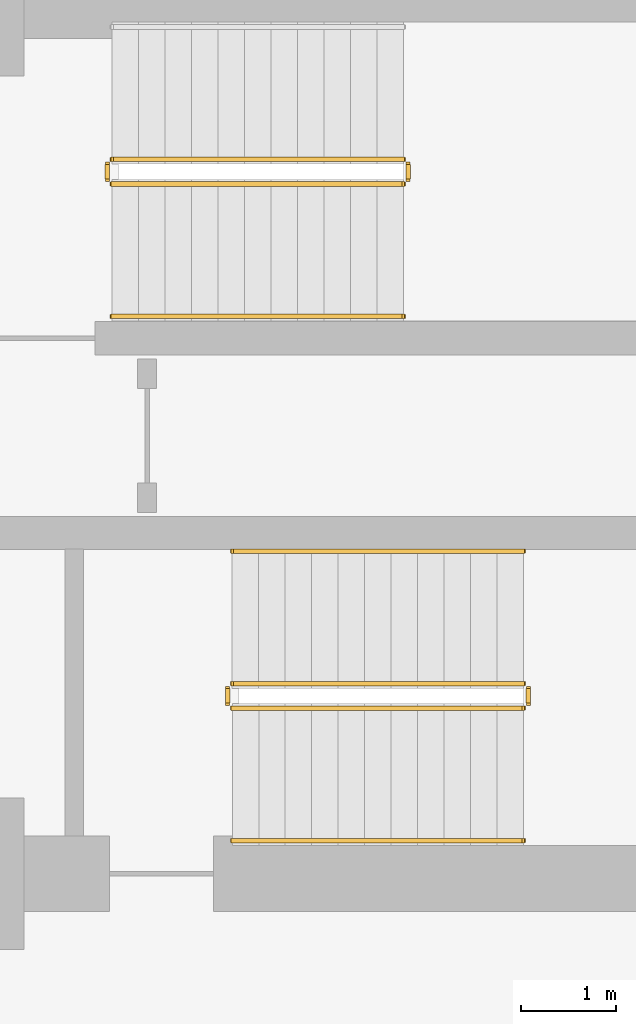
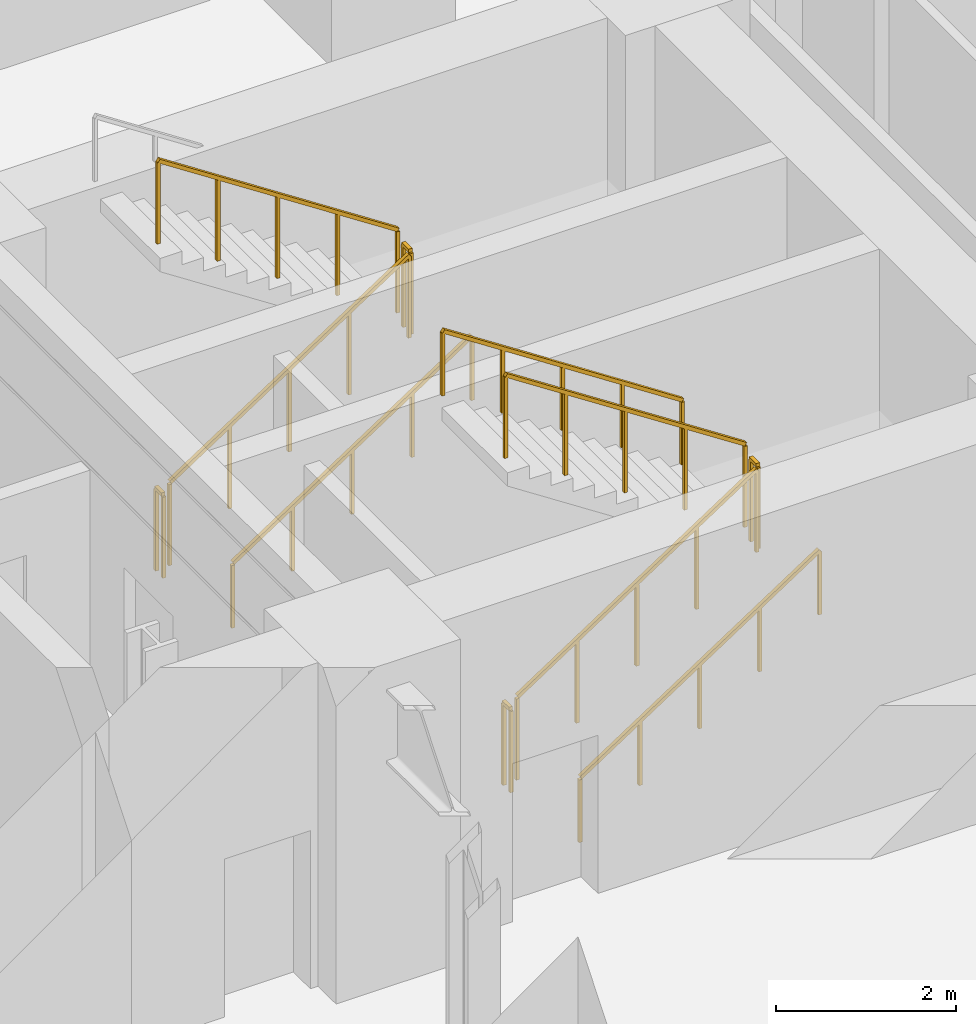
# One storey, part 6 of 8: 11 railings.
"""IFC4 building model written with IfcOpenShell, lengths in metres."""

import ifcopenshell
import ifcopenshell.guid

model = None  # the IFC model being written
_history = None  # IfcOwnerHistory: only IFC2X3 demands one
_inside = {}  # id of a spatial element -> (the spatial element, [elements in it])
_under = {}  # id of a project, library or spatial element -> (it, [spatial elements below it])
_declared = {}  # id of a project -> (the project, [libraries it declares])
_typed = {}  # id of a type object -> (the type object, [elements of that type])
_made_of = {}  # id of a material, layer set ... -> (it, [elements and type objects made of it])


def new_model(schema):
    """Start an empty IFC model of exactly this schema.

    Asked for "IFC4X3", IfcOpenShell would pick the latest addendum, in which some entities
    have other attributes; the version numbers below select the first issue.
    IFC2X3 requires an IfcOwnerHistory on every rooted entity: one is made here for all.
    """
    global model, _history
    if schema == "IFC4X3":
        model = ifcopenshell.file(schema_version=(4, 3, 0, 0))
    else:
        model = ifcopenshell.file(schema=schema)
    _inside.clear()
    _under.clear()
    _declared.clear()
    _typed.clear()
    _made_of.clear()
    _history = None
    if model.schema == "IFC2X3":
        org = make("IfcOrganization", Name="unknown")
        user = make(
            "IfcPersonAndOrganization",
            ThePerson=make("IfcPerson", FamilyName="unknown"),
            TheOrganization=org,
        )
        app = make(
            "IfcApplication",
            ApplicationDeveloper=org,
            Version="unknown",
            ApplicationFullName="unknown",
            ApplicationIdentifier="unknown",
        )
        _history = make(
            "IfcOwnerHistory",
            OwningUser=user,
            OwningApplication=app,
            ChangeAction="ADDED",
            CreationDate=0,
        )
    return model


def make(cls, **values):
    """One entity of the class cls with the attributes given. An attribute that is None is left unset."""
    return model.create_entity(
        cls, **{name: value for name, value in values.items() if value is not None}
    )


def rooted(cls, **values):
    """An entity with a GlobalId (a new one), such as an element, a storey or a relation."""
    return make(cls, GlobalId=ifcopenshell.guid.new(), OwnerHistory=_history, **values)


def si_unit(unit_type, name, prefix=None):
    """IfcSIUnit, for example si_unit("LENGTHUNIT", "METRE", prefix="MILLI")."""
    return make("IfcSIUnit", UnitType=unit_type, Prefix=prefix, Name=name)


def assignment(units):
    """IfcUnitAssignment: the units of a project."""
    return None if units is None else make("IfcUnitAssignment", Units=units)


def point(xyz):
    """IfcCartesianPoint."""
    return None if xyz is None else make("IfcCartesianPoint", Coordinates=xyz)


def direction(xyz):
    """IfcDirection."""
    return None if xyz is None else make("IfcDirection", DirectionRatios=xyz)


def frame(location, z_axis=None, x_axis=None):
    """IfcAxis2Placement3D, a coordinate frame: its origin and axes. An axis left out is left unset."""
    return make(
        "IfcAxis2Placement3D",
        Location=point(location),
        Axis=direction(z_axis),
        RefDirection=direction(x_axis),
    )


def frame_2d(location, x_axis=None):
    """IfcAxis2Placement2D, a coordinate frame in the plane: its origin and x axis."""
    return make(
        "IfcAxis2Placement2D", Location=point(location), RefDirection=direction(x_axis)
    )


def origin():
    """The frame at (0, 0, 0) with its axes left unset."""
    return frame((0.0, 0.0, 0.0))


def origin_2d():
    """The frame at (0, 0) in the plane with its x axis left unset."""
    return frame_2d((0.0, 0.0))


def place(relative_to, where):
    """IfcLocalPlacement: puts the frame where relative to a parent placement (None: the world)."""
    return make(
        "IfcLocalPlacement", PlacementRelTo=relative_to, RelativePlacement=where
    )


def context(
    kind, dimensions, precision=None, world=None, true_north=None, identifier=None
):
    """IfcGeometricRepresentationContext, for example the 3D "Model" context."""
    return make(
        "IfcGeometricRepresentationContext",
        ContextIdentifier=identifier,
        ContextType=kind,
        CoordinateSpaceDimension=dimensions,
        Precision=precision,
        WorldCoordinateSystem=world,
        TrueNorth=true_north,
    )


def subcontext(parent, identifier, kind, view, scale=None):
    """IfcGeometricRepresentationSubContext, for example "Body" below "Model"."""
    return make(
        "IfcGeometricRepresentationSubContext",
        ContextIdentifier=identifier,
        ContextType=kind,
        ParentContext=parent,
        TargetScale=scale,
        TargetView=view,
    )


def project(units=None, contexts=None):
    """IfcProject with its units and contexts."""
    return rooted(
        "IfcProject",
        Name="project",
        RepresentationContexts=contexts,
        UnitsInContext=assignment(units),
    )


def spatial(cls, under=None, at=None, **own):
    """A site, building, storey or space (cls), placed at a placement, below another one or the project."""
    s = rooted(cls, ObjectPlacement=at, **own)
    if under is not None:
        _under.setdefault(under.id(), (under, []))[1].append(s)
    return s


def profile(cls, at=None, kind="AREA", **sizes):
    """A parametric profile (cls). Its sizes go by their IFC names, for example OverallWidth=200.0."""
    return make(cls, ProfileType=kind, Position=at, **sizes)


def rectangle(**sizes):
    """IfcRectangleProfileDef."""
    return profile("IfcRectangleProfileDef", **sizes)


def extrude(swept, where, along, depth):
    """IfcExtrudedAreaSolid: the profile swept, set in the frame where, extruded along a direction by depth."""
    return make(
        "IfcExtrudedAreaSolid",
        SweptArea=swept,
        Position=where,
        ExtrudedDirection=direction(along),
        Depth=depth,
    )


def shape(context_of_items, identifier, shape_type, items):
    """IfcShapeRepresentation: the items that make up one representation, for example the "Body"."""
    return make(
        "IfcShapeRepresentation",
        ContextOfItems=context_of_items,
        RepresentationIdentifier=identifier,
        RepresentationType=shape_type,
        Items=items,
    )


def material(Name=None, Category=None):
    """IfcMaterial."""
    return make("IfcMaterial", Name=Name, Category=Category)


def made_of(thing, what):
    """Note that an element or type object is made of a material, layer set ...; save() writes the relation."""
    if what is not None:
        _made_of.setdefault(what.id(), (what, []))[1].append(thing)
    return thing


def type_object(cls, material=None, **own):
    """A type object (cls), such as IfcWallType, which elements share."""
    return made_of(rooted(cls, **own), material)


def element(
    cls,
    number,
    at=None,
    inside=None,
    cuts=None,
    type_object=None,
    material=None,
    context=None,
    identifier="Body",
    shape_type=None,
    held_by="IfcProductDefinitionShape",
    body=None,
    shapes=None,
    **own,
):
    """One element of the class cls, such as IfcWall. Its Tag is "e" and its number.

    at: its placement. inside: the storey or other place that contains it. cuts: it is an
    opening in that element (IfcRelVoidsElement). A single representation is given by context,
    identifier, shape_type and body (its items); several are given by shapes. held_by: the class
    of the entity that holds the representations. save() writes the other relations.
    """
    e = rooted(cls, Tag="e%d" % number, ObjectPlacement=at, **own)
    if body is not None:
        shapes = [shape(context, identifier, shape_type, body)]
    if shapes is not None:
        e.Representation = make(held_by, Representations=shapes)
    if inside is not None:
        _inside.setdefault(inside.id(), (inside, []))[1].append(e)
    if cuts is not None:
        rooted(
            "IfcRelVoidsElement", RelatingBuildingElement=cuts, RelatedOpeningElement=e
        )
    if type_object is not None:
        _typed.setdefault(type_object.id(), (type_object, []))[1].append(e)
    return made_of(e, material)


def aggregate(whole, parts):
    """IfcRelAggregates: a whole, such as a stair, and the parts it consists of."""
    return rooted("IfcRelAggregates", RelatingObject=whole, RelatedObjects=parts)


def save(model, path):
    """Write the relations noted so far, then the file.

    IfcRelAggregates (storeys below a building ...), IfcRelContainedInSpatialStructure (elements
    in a storey), IfcRelDefinesByType, IfcRelAssociatesMaterial and IfcRelDeclares: one each for
    every whole, place, type object, material and project.
    """
    for whole, parts in _under.values():
        aggregate(whole, parts)
    for where, things in _inside.values():
        rooted(
            "IfcRelContainedInSpatialStructure",
            RelatedElements=things,
            RelatingStructure=where,
        )
    for kind, things in _typed.values():
        rooted("IfcRelDefinesByType", RelatedObjects=things, RelatingType=kind)
    for what, things in _made_of.values():
        rooted("IfcRelAssociatesMaterial", RelatedObjects=things, RelatingMaterial=what)
    for by, libraries in _declared.values():
        rooted("IfcRelDeclares", RelatingContext=by, RelatedDefinitions=libraries)
    model.write(path)


model = new_model("IFC4")

# Units and contexts
model_context = context("Model", 3, precision=1e-05, world=origin(), true_north=direction((0.0, 1.0)))
body_context = subcontext(model_context, "Body", "Model", "MODEL_VIEW")
ifc_project = project(units=[si_unit("LENGTHUNIT", "METRE"), si_unit("AREAUNIT", "SQUARE_METRE"), si_unit("VOLUMEUNIT", "CUBIC_METRE"), si_unit("PLANEANGLEUNIT", "RADIAN"), si_unit("MASSUNIT", "GRAM", prefix="KILO")], contexts=[model_context])

# Site, building, storey
site_placement = place(None, origin())
site = spatial("IfcSite", under=ifc_project, at=site_placement, CompositionType="ELEMENT")
building_placement = place(site_placement, origin())
building = spatial("IfcBuilding", under=site, at=building_placement, Name="Zarnavel Station Tower", CompositionType="ELEMENT")
storey_placement = place(building_placement, frame((0.0, 0.0, -4.39990234375)))
storey = spatial("IfcBuildingStorey", under=building, at=storey_placement, Name="B01", CompositionType="ELEMENT", Elevation=-4.39990234375)

# Railings
ifc_material_1 = material(Name="Painted Steel S355J2 Balustrade", Category="steel")
railing_type_1 = type_object("IfcRailingType", Name="GR_INT_1150", PredefinedType="GUARDRAIL", material=ifc_material_1)
railing_1_placement = place(storey_placement, frame((38.080078125, 35.110107421875, 0.183349609375)))
element("IfcRailing", 1, at=railing_1_placement, inside=storey, type_object=railing_type_1, Name="B01 ST2 stair guard 1", PredefinedType="GUARDRAIL", context=body_context, shape_type="SweptSolid", body=[
    extrude(rectangle(XDim=0.048095703125, YDim=0.048095703125, at=origin_2d()), frame((0.001708984375, 0.0, 1.126953125), z_axis=(0.836613101238, 0.0, 0.547794230379), x_axis=(0.0, 1.0, 0.0)), (0.0, 0.0, 1.0), 3.67724609375),
    extrude(rectangle(XDim=0.0419921875, YDim=0.0419921875, at=origin_2d()), origin(), (0.0, 0.0, 1.0), 1.101806640625),
    extrude(rectangle(XDim=0.0419921875, YDim=0.0419921875, at=origin_2d()), frame((0.77001953125, 0.0, 0.504150390625)), (0.0, 0.0, 1.0), 1.101806640625),
    extrude(rectangle(XDim=0.0419921875, YDim=0.0419921875, at=origin_2d()), frame((1.5400390625, 0.0, 1.00830078125)), (0.0, 0.0, 1.0), 1.101806640625),
    extrude(rectangle(XDim=0.0419921875, YDim=0.0419921875, at=origin_2d()), frame((2.309814453125, 0.0, 1.512451171875)), (0.0, 0.0, 1.0), 1.101806640625),
    extrude(rectangle(XDim=0.0419921875, YDim=0.0419921875, at=origin_2d()), frame((3.079833984375, 0.0, 2.0166015625)), (0.0, 0.0, 1.0), 1.101806640625),
])
railing_2_placement = place(storey_placement, frame((41.2099609375, 35.159912109375, 2.199951171875)))
element("IfcRailing", 2, at=railing_2_placement, inside=storey, type_object=railing_type_1, Name="B01 ST2 stair guard 2", PredefinedType="GUARDRAIL", context=body_context, shape_type="SweptSolid", body=[
    extrude(rectangle(XDim=0.048095703125, YDim=0.048095703125, at=origin_2d()), frame((0.0, 0.001953125, 1.1259765625), z_axis=(0.0, 1.0, 0.0), x_axis=(-1.0, 0.0, 0.0)), (0.0, 0.0, 1.0), 0.15625),
    extrude(rectangle(XDim=0.0419921875, YDim=0.0419921875, at=origin_2d()), origin(), (0.0, 0.0, 1.0), 1.101806640625),
    extrude(rectangle(XDim=0.0419921875, YDim=0.0419921875, at=origin_2d()), frame((0.0, 0.16015625, 0.0)), (0.0, 0.0, 1.0), 1.101806640625),
])
railing_3_placement = place(storey_placement, frame((41.159912109375, 35.3701171875, 2.38330078125)))
element("IfcRailing", 3, at=railing_3_placement, inside=storey, type_object=railing_type_1, Name="B01 ST2 stair guard 3", PredefinedType="GUARDRAIL", context=body_context, shape_type="SweptSolid", body=[
    extrude(rectangle(XDim=0.048095703125, YDim=0.048095703125, at=origin_2d()), frame((-0.001708984375, 0.0, 1.126953125), z_axis=(-0.836613101238, 0.0, 0.547794230379), x_axis=(0.0, -1.0, 0.0)), (0.0, 0.0, 1.0), 3.67724609375),
    extrude(rectangle(XDim=0.0419921875, YDim=0.0419921875, at=origin_2d()), origin(), (0.0, 0.0, 1.0), 1.101806640625),
    extrude(rectangle(XDim=0.0419921875, YDim=0.0419921875, at=origin_2d()), frame((-0.77001953125, 0.0, 0.504150390625)), (0.0, 0.0, 1.0), 1.101806640625),
    extrude(rectangle(XDim=0.0419921875, YDim=0.0419921875, at=origin_2d()), frame((-1.5400390625, 0.0, 1.00830078125)), (0.0, 0.0, 1.0), 1.101806640625),
    extrude(rectangle(XDim=0.0419921875, YDim=0.0419921875, at=origin_2d()), frame((-2.309814453125, 0.0, 1.512451171875)), (0.0, 0.0, 1.0), 1.101806640625),
    extrude(rectangle(XDim=0.0419921875, YDim=0.0419921875, at=origin_2d()), frame((-3.079833984375, 0.0, 2.0166015625)), (0.0, 0.0, 1.0), 1.101806640625),
])
railing_4_placement = place(storey_placement, frame((38.030029296875, 35.159912109375, 0.0)))
element("IfcRailing", 4, at=railing_4_placement, inside=storey, type_object=railing_type_1, Name="B01 ST2 stair guard 4", PredefinedType="GUARDRAIL", context=body_context, shape_type="SweptSolid", body=[
    extrude(rectangle(XDim=0.048095703125, YDim=0.048095703125, at=origin_2d()), frame((0.0, 0.001953125, 1.1259765625), z_axis=(0.0, 1.0, 0.0), x_axis=(-1.0, 0.0, 0.0)), (0.0, 0.0, 1.0), 0.15625),
    extrude(rectangle(XDim=0.0419921875, YDim=0.0419921875, at=origin_2d()), origin(), (0.0, 0.0, 1.0), 1.101806640625),
    extrude(rectangle(XDim=0.0419921875, YDim=0.0419921875, at=origin_2d()), frame((0.0, 0.16015625, 0.0)), (0.0, 0.0, 1.0), 1.101806640625),
])
railing_5_placement = place(storey_placement, frame((39.35009765625, 29.570068359375, 0.183349609375)))
element("IfcRailing", 5, at=railing_5_placement, inside=storey, type_object=railing_type_1, Name="B01 ST3 stair guard 1", PredefinedType="GUARDRAIL", context=body_context, shape_type="SweptSolid", body=[
    extrude(rectangle(XDim=0.048095703125, YDim=0.048095703125, at=origin_2d()), frame((0.001708984375, 0.0, 1.126953125), z_axis=(0.836613101238, 0.0, 0.547794230379), x_axis=(0.0, 1.0, 0.0)), (0.0, 0.0, 1.0), 3.67724609375),
    extrude(rectangle(XDim=0.0419921875, YDim=0.0419921875, at=origin_2d()), origin(), (0.0, 0.0, 1.0), 1.101806640625),
    extrude(rectangle(XDim=0.0419921875, YDim=0.0419921875, at=origin_2d()), frame((0.77001953125, 0.0, 0.504150390625)), (0.0, 0.0, 1.0), 1.101806640625),
    extrude(rectangle(XDim=0.0419921875, YDim=0.0419921875, at=origin_2d()), frame((1.5400390625, 0.0, 1.00830078125)), (0.0, 0.0, 1.0), 1.101806640625),
    extrude(rectangle(XDim=0.0419921875, YDim=0.0419921875, at=origin_2d()), frame((2.309814453125, 0.0, 1.512451171875)), (0.0, 0.0, 1.0), 1.101806640625),
    extrude(rectangle(XDim=0.0419921875, YDim=0.0419921875, at=origin_2d()), frame((3.079833984375, 0.0, 2.0166015625)), (0.0, 0.0, 1.0), 1.101806640625),
])
railing_6_placement = place(storey_placement, frame((42.47998046875, 29.6201171875, 2.199951171875)))
element("IfcRailing", 6, at=railing_6_placement, inside=storey, type_object=railing_type_1, Name="B01 ST3 stair guard 2", PredefinedType="GUARDRAIL", context=body_context, shape_type="SweptSolid", body=[
    extrude(rectangle(XDim=0.048095703125, YDim=0.048095703125, at=origin_2d()), frame((0.0, 0.001953125, 1.1259765625), z_axis=(0.0, 1.0, 0.0), x_axis=(-1.0, 0.0, 0.0)), (0.0, 0.0, 1.0), 0.156005859375),
    extrude(rectangle(XDim=0.0419921875, YDim=0.0419921875, at=origin_2d()), origin(), (0.0, 0.0, 1.0), 1.101806640625),
    extrude(rectangle(XDim=0.0419921875, YDim=0.0419921875, at=origin_2d()), frame((0.0, 0.159912109375, 0.0)), (0.0, 0.0, 1.0), 1.101806640625),
])
railing_7_placement = place(storey_placement, frame((42.429931640625, 29.830078125, 2.38330078125)))
element("IfcRailing", 7, at=railing_7_placement, inside=storey, type_object=railing_type_1, Name="B01 ST3 stair guard 3", PredefinedType="GUARDRAIL", context=body_context, shape_type="SweptSolid", body=[
    extrude(rectangle(XDim=0.048095703125, YDim=0.048095703125, at=origin_2d()), frame((-0.001708984375, 0.0, 1.126953125), z_axis=(-0.836613101238, 0.0, 0.547794230379), x_axis=(0.0, -1.0, 0.0)), (0.0, 0.0, 1.0), 3.67724609375),
    extrude(rectangle(XDim=0.0419921875, YDim=0.0419921875, at=origin_2d()), origin(), (0.0, 0.0, 1.0), 1.101806640625),
    extrude(rectangle(XDim=0.0419921875, YDim=0.0419921875, at=origin_2d()), frame((-0.77001953125, 0.0, 0.504150390625)), (0.0, 0.0, 1.0), 1.101806640625),
    extrude(rectangle(XDim=0.0419921875, YDim=0.0419921875, at=origin_2d()), frame((-1.5400390625, 0.0, 1.00830078125)), (0.0, 0.0, 1.0), 1.101806640625),
    extrude(rectangle(XDim=0.0419921875, YDim=0.0419921875, at=origin_2d()), frame((-2.309814453125, 0.0, 1.512451171875)), (0.0, 0.0, 1.0), 1.101806640625),
    extrude(rectangle(XDim=0.0419921875, YDim=0.0419921875, at=origin_2d()), frame((-3.079833984375, 0.0, 2.0166015625)), (0.0, 0.0, 1.0), 1.101806640625),
])
railing_8_placement = place(storey_placement, frame((39.300048828125, 29.6201171875, 0.0)))
element("IfcRailing", 8, at=railing_8_placement, inside=storey, type_object=railing_type_1, Name="B01 ST3 stair guard 4", PredefinedType="GUARDRAIL", context=body_context, shape_type="SweptSolid", body=[
    extrude(rectangle(XDim=0.048095703125, YDim=0.048095703125, at=origin_2d()), frame((0.0, 0.001953125, 1.1259765625), z_axis=(0.0, 1.0, 0.0), x_axis=(-1.0, 0.0, 0.0)), (0.0, 0.0, 1.0), 0.156005859375),
    extrude(rectangle(XDim=0.0419921875, YDim=0.0419921875, at=origin_2d()), origin(), (0.0, 0.0, 1.0), 1.101806640625),
    extrude(rectangle(XDim=0.0419921875, YDim=0.0419921875, at=origin_2d()), frame((0.0, 0.159912109375, 0.0)), (0.0, 0.0, 1.0), 1.101806640625),
])
ifc_material_2 = material(Name="Brushed Stainless Steel S355J2 Handrail", Category="steel")
railing_type_2 = type_object("IfcRailingType", Name="HR_STAIR_900", PredefinedType="HANDRAIL", material=ifc_material_2)
for number, where, name in (
    (9, (38.080078125, 33.7099609375, 0.183349609375), "B01 ST2 stair handrail 1"),
    (10, (39.35009765625, 28.169921875, 0.183349609375), "B01 ST3 stair handrail 1"),
):
    element("IfcRailing", number, at=place(storey_placement, frame(where)), inside=storey, type_object=railing_type_2, Name=name, PredefinedType="HANDRAIL", context=body_context, shape_type="SweptSolid", body=[
        extrude(rectangle(XDim=0.048095703125, YDim=0.048095703125, at=origin_2d()), frame((0.001708984375, 0.0, 0.876953125), z_axis=(0.836613101238, 0.0, 0.547794230379), x_axis=(0.0, 1.0, 0.0)), (0.0, 0.0, 1.0), 3.67724609375),
        extrude(rectangle(XDim=0.0419921875, YDim=0.0419921875, at=origin_2d()), origin(), (0.0, 0.0, 1.0), 0.851806640625),
        extrude(rectangle(XDim=0.0419921875, YDim=0.0419921875, at=origin_2d()), frame((0.77001953125, 0.0, 0.504150390625)), (0.0, 0.0, 1.0), 0.851806640625),
        extrude(rectangle(XDim=0.0419921875, YDim=0.0419921875, at=origin_2d()), frame((1.5400390625, 0.0, 1.00830078125)), (0.0, 0.0, 1.0), 0.851806640625),
        extrude(rectangle(XDim=0.0419921875, YDim=0.0419921875, at=origin_2d()), frame((2.309814453125, 0.0, 1.512451171875)), (0.0, 0.0, 1.0), 0.851806640625),
        extrude(rectangle(XDim=0.0419921875, YDim=0.0419921875, at=origin_2d()), frame((3.079833984375, 0.0, 2.0166015625)), (0.0, 0.0, 1.0), 0.851806640625),
    ])
railing_9_placement = place(storey_placement, frame((42.429931640625, 31.22998046875, 2.38330078125)))
element("IfcRailing", 11, at=railing_9_placement, inside=storey, type_object=railing_type_2, Name="B01 ST3 stair handrail 2", PredefinedType="HANDRAIL", context=body_context, shape_type="SweptSolid", body=[
    extrude(rectangle(XDim=0.048095703125, YDim=0.048095703125, at=origin_2d()), frame((-0.001708984375, 0.0, 0.876953125), z_axis=(-0.836613101238, 0.0, 0.547794230379), x_axis=(0.0, -1.0, 0.0)), (0.0, 0.0, 1.0), 3.67724609375),
    extrude(rectangle(XDim=0.0419921875, YDim=0.0419921875, at=origin_2d()), origin(), (0.0, 0.0, 1.0), 0.851806640625),
    extrude(rectangle(XDim=0.0419921875, YDim=0.0419921875, at=origin_2d()), frame((-0.77001953125, 0.0, 0.504150390625)), (0.0, 0.0, 1.0), 0.851806640625),
    extrude(rectangle(XDim=0.0419921875, YDim=0.0419921875, at=origin_2d()), frame((-1.5400390625, 0.0, 1.00830078125)), (0.0, 0.0, 1.0), 0.851806640625),
    extrude(rectangle(XDim=0.0419921875, YDim=0.0419921875, at=origin_2d()), frame((-2.309814453125, 0.0, 1.512451171875)), (0.0, 0.0, 1.0), 0.851806640625),
    extrude(rectangle(XDim=0.0419921875, YDim=0.0419921875, at=origin_2d()), frame((-3.079833984375, 0.0, 2.0166015625)), (0.0, 0.0, 1.0), 0.851806640625),
])

save(model, "model.ifc")
